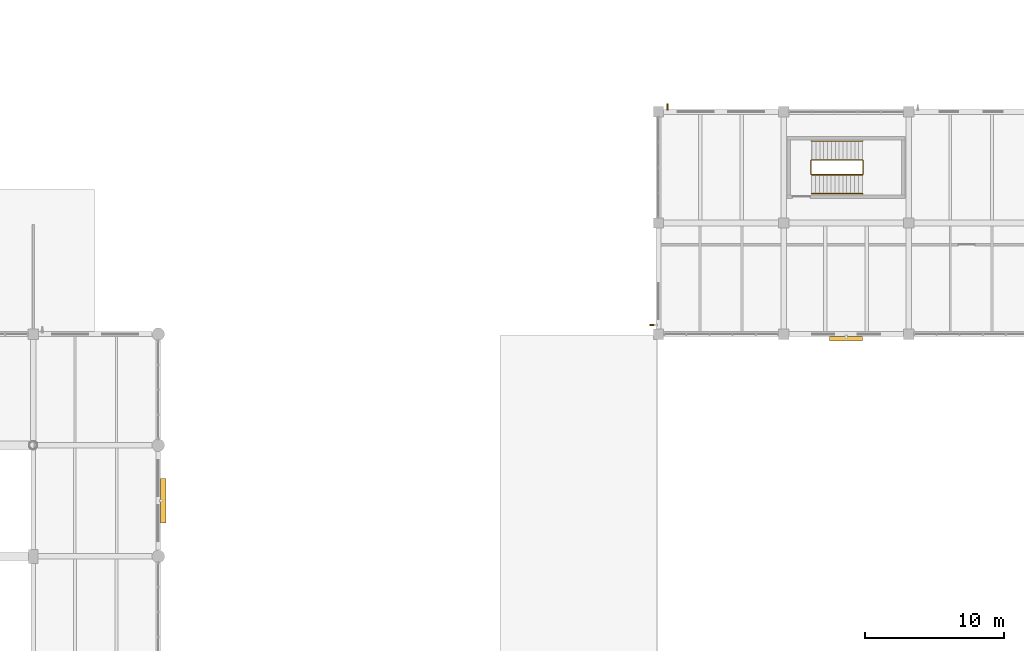
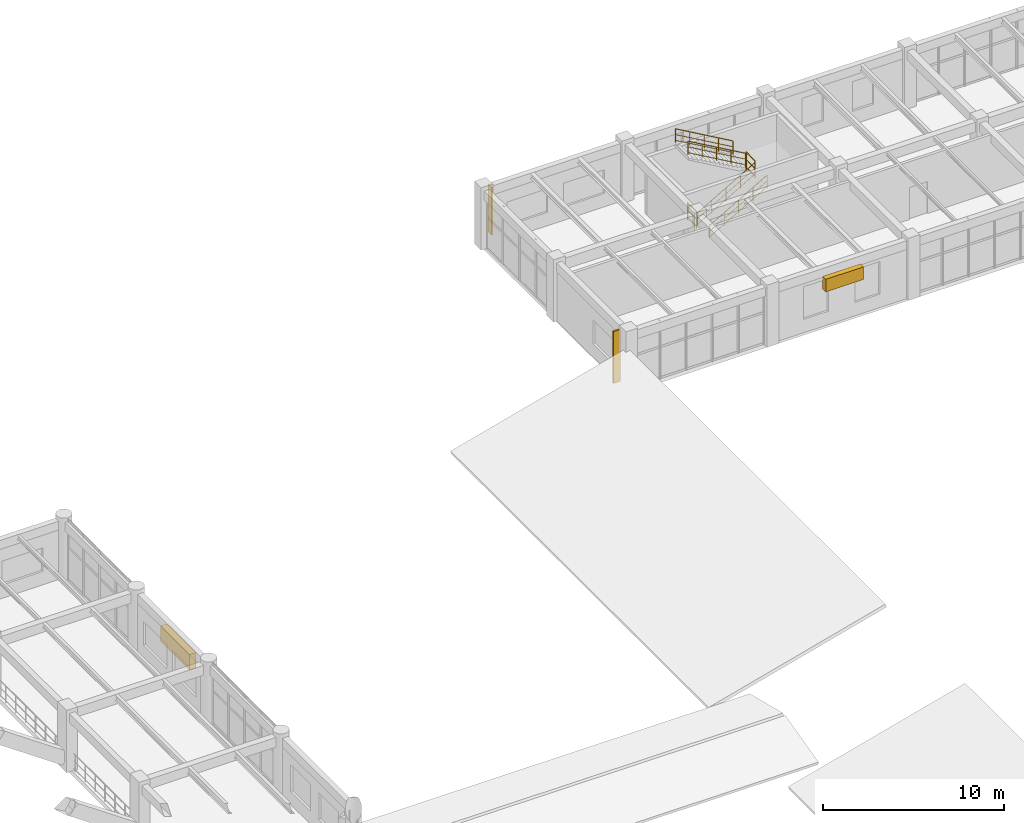
# One storey, part 143 of 148: 6 railings, 4 shading devices.
"""IFC4 building model written with IfcOpenShell, lengths in metres."""

from ifc_helpers import new_model, si_unit, derived_unit, direction, frame, origin, origin_2d, place, context, subcontext, project, spatial, rectangle, circle, extrude, material, type_object, element, save


model = new_model("IFC4")

# Units and contexts
model_context = context("Model", 3, precision=1e-05, world=origin(), true_north=direction((0.0, 1.0)))
body_context = subcontext(model_context, "Body", "Model", "MODEL_VIEW")
ifc_project = project(units=[si_unit("LENGTHUNIT", "METRE"), si_unit("AREAUNIT", "SQUARE_METRE"), si_unit("VOLUMEUNIT", "CUBIC_METRE"), si_unit("PLANEANGLEUNIT", "RADIAN"), si_unit("MASSUNIT", "GRAM", prefix="KILO"), derived_unit("THERMALTRANSMITTANCEUNIT", [(si_unit("MASSUNIT", "GRAM", prefix="KILO"), 1), (si_unit("TIMEUNIT", "SECOND"), -3), (si_unit("THERMODYNAMICTEMPERATUREUNIT", "KELVIN"), -1)])], contexts=[model_context])

# Site, building, storey
site_placement = place(None, origin())
site = spatial("IfcSite", under=ifc_project, at=site_placement, CompositionType="ELEMENT")
building_placement = place(site_placement, origin())
building = spatial("IfcBuilding", under=site, at=building_placement, Name="Zhenchuan Archway Interchange", CompositionType="ELEMENT")
storey_placement = place(building_placement, frame((0.0, 0.0, 10.199951171875)))
storey = spatial("IfcBuildingStorey", under=building, at=storey_placement, Name="L02", CompositionType="ELEMENT", Elevation=10.199951171875)

# Railings
ifc_material_1 = material(Name="Painted Galvanised Steel", Category="steel")
railing_type_1 = type_object("IfcRailingType", Name="RL_GUARD_1150", PredefinedType="GUARDRAIL", material=ifc_material_1)
for number, where, name in (
    (1, (122.72509765625, 99.514892578125, 2.10009765625), "Stair ST-O6 half-landing slot guard (L02)"),
    (2, (118.985107421875, 99.514892578125, 0.0), "Stair ST-O6 floor well guard (L02)"),
):
    element("IfcRailing", number, at=place(storey_placement, frame(where)), inside=storey, type_object=railing_type_1, Name=name, PredefinedType="GUARDRAIL", context=body_context, shape_type="SweptSolid", body=[
        extrude(circle(Radius=0.02392578125, at=origin_2d()), frame((0.0, 0.0, 1.1259765625), z_axis=(0.0, 1.0, 0.0), x_axis=(-1.0, 0.0, 0.0)), (0.0, 0.0, 1.0), 0.97021484375),
        extrude(circle(Radius=0.01611328125, at=origin_2d()), frame((0.0, 0.0, 0.63232421875), z_axis=(0.0, 1.0, 0.0), x_axis=(-1.0, 0.0, 0.0)), (0.0, 0.0, 1.0), 0.97021484375),
        extrude(circle(Radius=0.01611328125, at=origin_2d()), frame((0.0, 0.0, 0.1201171875), z_axis=(0.0, 1.0, 0.0), x_axis=(-1.0, 0.0, 0.0)), (0.0, 0.0, 1.0), 0.97021484375),
        extrude(circle(Radius=0.02099609375, at=origin_2d()), origin(), (0.0, 0.0, 1.0), 1.1259765625),
        extrude(circle(Radius=0.02099609375, at=origin_2d()), frame((0.0, 0.97021484375, 0.0)), (0.0, 0.0, 1.0), 1.1259765625),
    ])
ifc_material_2 = material(Name="Stainless Steel 304", Category="steel")
railing_type_2 = type_object("IfcRailingType", Name="RL_HAND_920", PredefinedType="HANDRAIL", material=ifc_material_2)
for number, where, name in (
    (3, (119.02490234375, 98.10498046875, 0.150146484375), "Stair ST-O6 handrail 1 (L02)"),
    (4, (119.02490234375, 99.47509765625, 0.150146484375), "Stair ST-O6 handrail 2 (L02)"),
):
    element("IfcRailing", number, at=place(storey_placement, frame(where)), inside=storey, type_object=railing_type_2, Name=name, PredefinedType="HANDRAIL", context=body_context, shape_type="SweptSolid", body=[
        extrude(circle(Radius=0.02392578125, at=origin_2d()), frame((0.0, 0.0, 0.89599609375), z_axis=(0.867390923327, 0.0, 0.497627356693), x_axis=(0.0, 1.0, 0.0)), (0.0, 0.0, 1.0), 4.2197265625),
        extrude(circle(Radius=0.01611328125, at=origin_2d()), frame((0.0, 0.0, 0.505859375), z_axis=(0.867390923327, 0.0, 0.497627356693), x_axis=(0.0, 1.0, 0.0)), (0.0, 0.0, 1.0), 4.2197265625),
        extrude(circle(Radius=0.01611328125, at=origin_2d()), frame((0.0, 0.0, 0.1201171875), z_axis=(0.867390923327, 0.0, 0.497627356693), x_axis=(0.0, 1.0, 0.0)), (0.0, 0.0, 1.0), 4.2197265625),
        extrude(circle(Radius=0.02099609375, at=origin_2d()), origin(), (0.0, 0.0, 1.0), 0.89599609375),
        extrude(circle(Radius=0.02099609375, at=origin_2d()), frame((0.9150390625, 0.0, 0.52490234375)), (0.0, 0.0, 1.0), 0.89599609375),
        extrude(circle(Radius=0.02099609375, at=origin_2d()), frame((1.830078125, 0.0, 1.0498046875)), (0.0, 0.0, 1.0), 0.89599609375),
        extrude(circle(Radius=0.02099609375, at=origin_2d()), frame((2.7451171875, 0.0, 1.574951171875)), (0.0, 0.0, 1.0), 0.89599609375),
        extrude(circle(Radius=0.02099609375, at=origin_2d()), frame((3.66015625, 0.0, 2.099853515625)), (0.0, 0.0, 1.0), 0.89599609375),
    ])
for number, where, name in (
    (5, (122.68505859375, 100.52490234375, 2.25), "Stair ST-O6 handrail 3 (L02)"),
    (6, (122.68505859375, 101.89501953125, 2.25), "Stair ST-O6 handrail 4 (L02)"),
):
    element("IfcRailing", number, at=place(storey_placement, frame(where)), inside=storey, type_object=railing_type_2, Name=name, PredefinedType="HANDRAIL", context=body_context, shape_type="SweptSolid", body=[
        extrude(circle(Radius=0.02392578125, at=origin_2d()), frame((0.0, 0.0, 0.89599609375), z_axis=(-0.867365949741, 0.0, 0.49767088445), x_axis=(0.0, -1.0, 0.0)), (0.0, 0.0, 1.0), 4.219970703125),
        extrude(circle(Radius=0.01611328125, at=origin_2d()), frame((0.0, 0.0, 0.505859375), z_axis=(-0.867365949741, 0.0, 0.49767088445), x_axis=(0.0, -1.0, 0.0)), (0.0, 0.0, 1.0), 4.219970703125),
        extrude(circle(Radius=0.01611328125, at=origin_2d()), frame((0.0, 0.0, 0.1201171875), z_axis=(-0.867365949741, 0.0, 0.49767088445), x_axis=(0.0, -1.0, 0.0)), (0.0, 0.0, 1.0), 4.219970703125),
        extrude(circle(Radius=0.02099609375, at=origin_2d()), origin(), (0.0, 0.0, 1.0), 0.89599609375),
        extrude(circle(Radius=0.02099609375, at=origin_2d()), frame((-0.9150390625, 0.0, 0.52490234375)), (0.0, 0.0, 1.0), 0.89599609375),
        extrude(circle(Radius=0.02099609375, at=origin_2d()), frame((-1.830078125, 0.0, 1.050048828125)), (0.0, 0.0, 1.0), 0.89599609375),
        extrude(circle(Radius=0.02099609375, at=origin_2d()), frame((-2.7451171875, 0.0, 1.5751953125)), (0.0, 0.0, 1.0), 0.89599609375),
        extrude(circle(Radius=0.02099609375, at=origin_2d()), frame((-3.66015625, 0.0, 2.10009765625)), (0.0, 0.0, 1.0), 0.89599609375),
    ])

# Shading devices
ifc_material_3 = material(Name="Terracotta Ceramic", Category="masonry")
shading_device_type_1 = type_object("IfcShadingDeviceType", Name="SHD_FIN_1", PredefinedType="USERDEFINED", material=ifc_material_3)
shading_device_1_placement = place(storey_placement, frame((108.653076171875, 104.364013671875, 0.35009765625), z_axis=(0.0, 0.0, 1.0), x_axis=(1.0, 0.0, 0.0)))
element("IfcShadingDevice", 7, at=shading_device_1_placement, inside=storey, type_object=shading_device_type_1, Name="Terracotta vertical solar fin L02-084", ObjectType="FINS", PredefinedType="USERDEFINED", context=body_context, shape_type="SweptSolid", body=[
    extrude(rectangle(XDim=0.090087890625, YDim=0.419921875, at=origin_2d()), origin(), (0.0, 0.0, 1.0), 3.199951171875),
])
shading_device_type_2 = type_object("IfcShadingDeviceType", Name="SHD_FIN_3", PredefinedType="USERDEFINED", material=ifc_material_3)
shading_device_2_placement = place(storey_placement, frame((107.615966796875, 88.653076171875, 0.199951171875), z_axis=(0.0, 0.0, 1.0), x_axis=(0.0, 1.0, 0.0)))
element("IfcShadingDevice", 8, at=shading_device_2_placement, inside=storey, type_object=shading_device_type_2, Name="Terracotta vertical solar fin L02-083", ObjectType="FINS", PredefinedType="USERDEFINED", context=body_context, shape_type="SweptSolid", body=[
    extrude(rectangle(XDim=0.10009765625, YDim=0.4599609375, at=origin_2d()), origin(), (0.0, 0.0, 1.0), 3.5),
])
ifc_material_4 = material(Name="Anodised Aluminium", Category="aluminium")
shading_device_type_3 = type_object("IfcShadingDeviceType", Name="SHD_LOUVRE_2", PredefinedType="JALOUSIE", material=ifc_material_4)
shading_device_3_placement = place(storey_placement, frame((121.5, 87.676025390625, 2.52490234375), z_axis=(0.0, 0.0, 1.0), x_axis=(-1.0, 0.0, 0.0)))
element("IfcShadingDevice", 9, at=shading_device_3_placement, inside=storey, type_object=shading_device_type_3, Name="Monsoon storm-louvre jalousie L02-082", PredefinedType="JALOUSIE", context=body_context, shape_type="SweptSolid", body=[
    extrude(rectangle(XDim=2.39990234375, YDim=0.340087890625, at=origin_2d()), origin(), (0.0, 0.0, 1.0), 0.85009765625),
])
shading_device_type_4 = type_object("IfcShadingDeviceType", Name="SHD_LOUVRE_3", PredefinedType="JALOUSIE", material=ifc_material_4)
shading_device_4_placement = place(storey_placement, frame((72.364013671875, 76.0, 1.8251953125), z_axis=(0.0, 0.0, 1.0), x_axis=(0.0, -1.0, 0.0)))
element("IfcShadingDevice", 10, at=shading_device_4_placement, inside=storey, type_object=shading_device_type_4, Name="Monsoon storm-louvre jalousie L02-071", PredefinedType="JALOUSIE", context=body_context, shape_type="SweptSolid", body=[
    extrude(rectangle(XDim=3.199951171875, YDim=0.39990234375, at=origin_2d()), origin(), (0.0, 0.0, 1.0), 1.050048828125),
])

save(model, "model.ifc")
